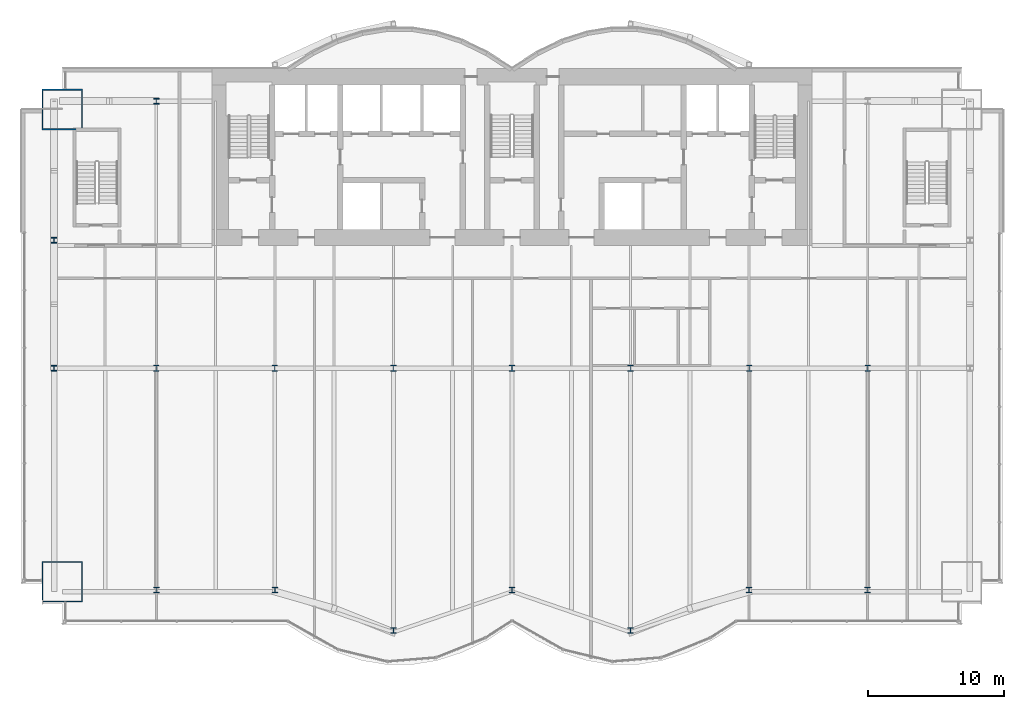
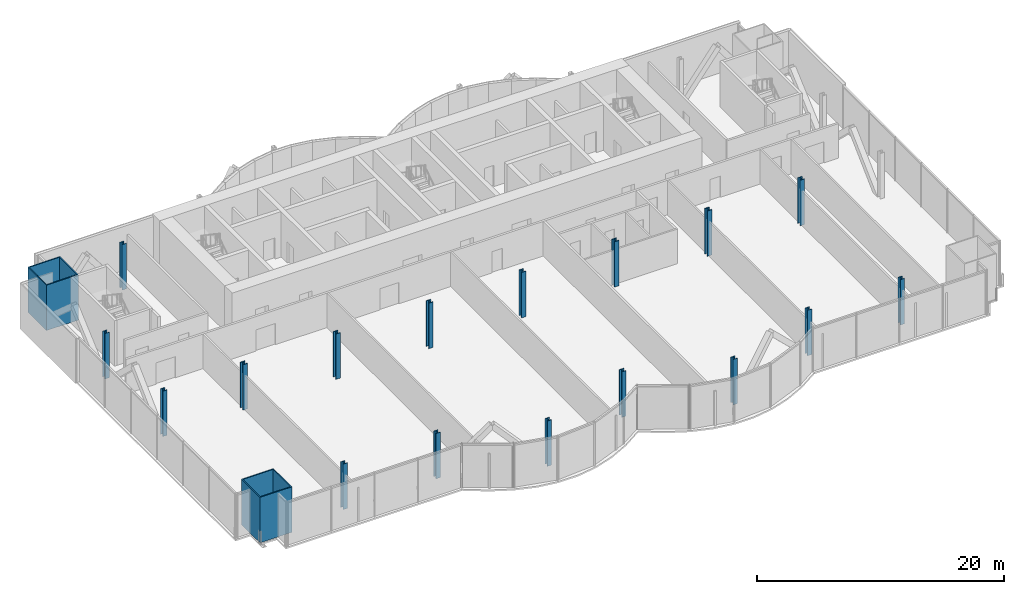
# One storey, part 1 of 21: 19 columns.
"""IFC4 building model written with IfcOpenShell, lengths in metres."""

from ifc_helpers import new_model, si_unit, direction, frame, origin, origin_2d, place, context, subcontext, project, spatial, hollow_rectangle, i_section, extrude, material, material_profile, profile_set, type_object, element, save


model = new_model("IFC4")

# Units and contexts
model_context = context("Model", 3, precision=1e-05, world=origin(), true_north=direction((0.0, 1.0)))
body_context = subcontext(model_context, "Body", "Model", "MODEL_VIEW")
ifc_project = project(units=[si_unit("LENGTHUNIT", "METRE"), si_unit("AREAUNIT", "SQUARE_METRE"), si_unit("VOLUMEUNIT", "CUBIC_METRE"), si_unit("PLANEANGLEUNIT", "RADIAN"), si_unit("MASSUNIT", "GRAM", prefix="KILO")], contexts=[model_context])

# Site, building, storey
site_placement = place(None, origin())
site = spatial("IfcSite", under=ifc_project, at=site_placement, CompositionType="ELEMENT")
building_placement = place(site_placement, origin())
building = spatial("IfcBuilding", under=site, at=building_placement, Name="Bicima Exchange Tower", CompositionType="ELEMENT")
storey_placement = place(building_placement, frame((0.0, 0.0, 57.5)))
storey = spatial("IfcBuildingStorey", under=building, at=storey_placement, Name="L11", CompositionType="ELEMENT", Elevation=57.5)

# Columns
ifc_material_1 = material(Name="Steel ASTM A992 Gr 50", Category="steel")
ifc_material_profile_1 = material_profile(ifc_material_1, i_section(OverallWidth=0.419189453125, OverallDepth=0.45458984375, WebThickness=0.042236328125, FlangeThickness=0.067626953125, at=origin_2d()))
ifc_profile_set_1 = profile_set([ifc_material_profile_1], Name="Steel ASTM A992 Gr 50")
column_type_1 = type_object("IfcColumnType", Name="Interior column W14x370", PredefinedType="COLUMN", material=ifc_profile_set_1)
for number, where, z_axis, x_axis, name in (
    (1, (-26.10009765625, -22.0, 0.0), (0.0, 0.0, 1.0), (1.0, 0.0, 0.0), "Interior column interior-26.1i"),
    (2, (-17.39990234375, -22.0, 0.0), (0.0, 0.0, 1.0), (1.0, 0.0, 0.0), "Interior column interior-17.4i"),
    (3, (-8.699951171875, -22.0, 0.0), (0.0, 0.0, 1.0), (1.0, 0.0, 0.0), "Interior column interior-8.7i"),
    (4, (0.0, -22.0, 0.0), (0.0, 0.0, 1.0), (1.0, 0.0, 0.0), "Interior column interior+0.0i"),
    (5, (8.699951171875, -22.0, 0.0), (0.0, 0.0, 1.0), (1.0, 0.0, 0.0), "Interior column interior+8.7i"),
    (6, (17.39990234375, -22.0, 0.0), (0.0, 0.0, 1.0), (1.0, 0.0, 0.0), "Interior column interior+17.4i"),
    (7, (26.10009765625, -22.0, 0.0), (0.0, 0.0, 1.0), (1.0, 0.0, 0.0), "Interior column interior+26.1i"),
):
    element("IfcColumn", number, at=place(storey_placement, frame(where, z_axis=z_axis, x_axis=x_axis)), inside=storey, type_object=column_type_1, Name=name, PredefinedType="COLUMN", context=body_context, shape_type="SweptSolid", body=[
        extrude(i_section(OverallWidth=0.419189453125, OverallDepth=0.45458984375, WebThickness=0.042236328125, FlangeThickness=0.067626953125, at=origin_2d()), origin(), (0.0, 0.0, 1.0), 4.5),
    ])
ifc_material_2 = material(Name="Steel ASTM A572 Gr 50", Category="steel")
ifc_material_profile_2 = material_profile(ifc_material_2, hollow_rectangle(XDim=3.0, YDim=3.0, WallThickness=0.10009765625, at=origin_2d()))
ifc_profile_set_2 = profile_set([ifc_material_profile_2], Name="Steel ASTM A572 Gr 50")
column_type_2 = type_object("IfcColumnType", Name="Mega column BOX 3000x3000x100", PredefinedType="COLUMN", material=ifc_profile_set_2)
for number, where, z_axis, x_axis, name in (
    (8, (-33.0, -37.657958984375, 0.0), (0.0, 0.0, 1.0), (1.0, 0.0, 0.0), "Mega column mega-33.0f"),
    (9, (-33.0, -3.0, 0.0), (0.0, 0.0, 1.0), (1.0, 0.0, 0.0), "Mega column mega-33.0r"),
):
    element("IfcColumn", number, at=place(storey_placement, frame(where, z_axis=z_axis, x_axis=x_axis)), inside=storey, type_object=column_type_2, Name=name, PredefinedType="COLUMN", context=body_context, shape_type="SweptSolid", body=[
        extrude(hollow_rectangle(XDim=3.0, YDim=3.0, WallThickness=0.10009765625, at=origin_2d()), origin(), (0.0, 0.0, 1.0), 4.5),
    ])
ifc_material_profile_3 = material_profile(ifc_material_1, i_section(OverallWidth=0.406494140625, OverallDepth=0.41650390625, WebThickness=0.030029296875, FlangeThickness=0.048095703125, at=origin_2d()))
ifc_profile_set_3 = profile_set([ifc_material_profile_3], Name="Steel ASTM A992 Gr 50")
column_type_3 = type_object("IfcColumnType", Name="Perimeter column W14x257", PredefinedType="COLUMN", material=ifc_profile_set_3)
for number, where, z_axis, x_axis, name in (
    (10, (-26.10009765625, -38.258056640625, 0.0), (0.0, 0.0, 1.0), (1.0, 0.0, 0.0), "Perimeter column grav-26.1f"),
    (11, (-26.10009765625, -2.39990234375, 0.0), (0.0, 0.0, 1.0), (1.0, 0.0, 0.0), "Perimeter column grav-26.1r"),
    (12, (-17.39990234375, -38.258056640625, 0.0), (0.0, 0.0, 1.0), (1.0, 0.0, 0.0), "Perimeter column grav-17.4f"),
    (13, (-8.699951171875, -41.2490234375, 0.0), (0.0, 0.0, 1.0), (1.0, 0.0, 0.0), "Perimeter column grav-8.7f"),
    (14, (0.0, -38.258056640625, 0.0), (0.0, 0.0, 1.0), (1.0, 0.0, 0.0), "Perimeter column grav-0.0f"),
    (15, (8.699951171875, -41.2490234375, 0.0), (0.0, 0.0, 1.0), (1.0, 0.0, 0.0), "Perimeter column grav+8.7f"),
    (16, (17.39990234375, -38.258056640625, 0.0), (0.0, 0.0, 1.0), (1.0, 0.0, 0.0), "Perimeter column grav+17.4f"),
    (17, (26.10009765625, -38.258056640625, 0.0), (0.0, 0.0, 1.0), (1.0, 0.0, 0.0), "Perimeter column grav+26.1f"),
    (18, (-33.60009765625, -12.60009765625, 0.0), (0.0, 0.0, 1.0), (1.0, 0.0, 0.0), "End column end-33.6e"),
    (19, (-33.60009765625, -22.0, 0.0), (0.0, 0.0, 1.0), (1.0, 0.0, 0.0), "End column end-33.6e"),
):
    element("IfcColumn", number, at=place(storey_placement, frame(where, z_axis=z_axis, x_axis=x_axis)), inside=storey, type_object=column_type_3, Name=name, PredefinedType="COLUMN", context=body_context, shape_type="SweptSolid", body=[
        extrude(i_section(OverallWidth=0.406494140625, OverallDepth=0.41650390625, WebThickness=0.030029296875, FlangeThickness=0.048095703125, at=origin_2d()), origin(), (0.0, 0.0, 1.0), 4.5),
    ])

save(model, "model.ifc")
